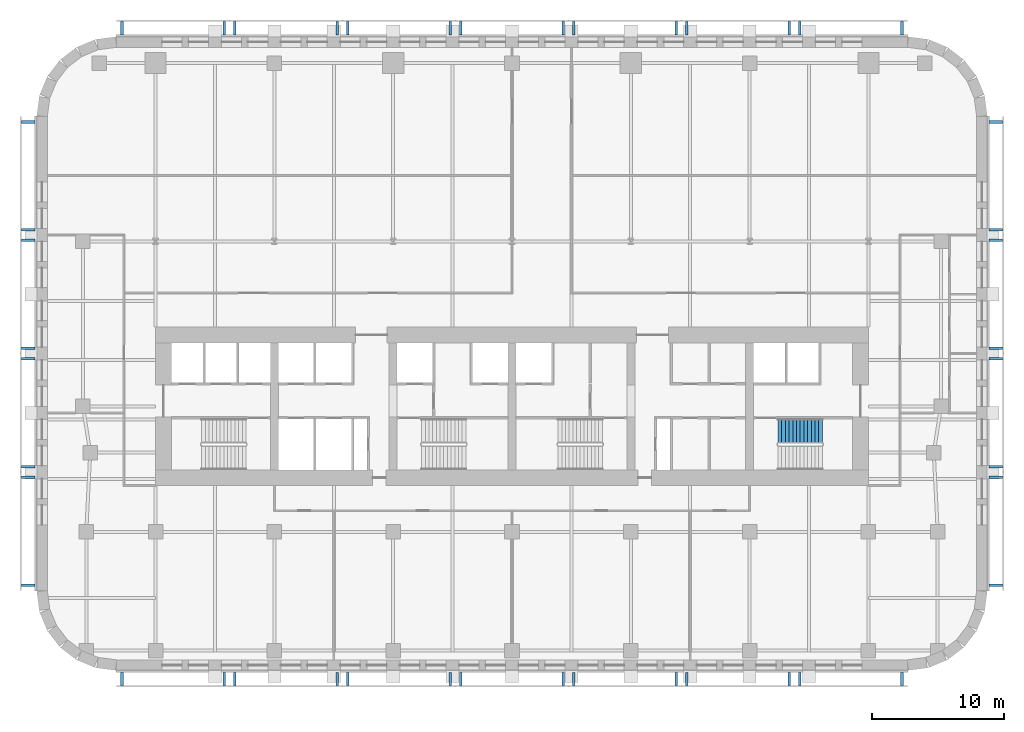
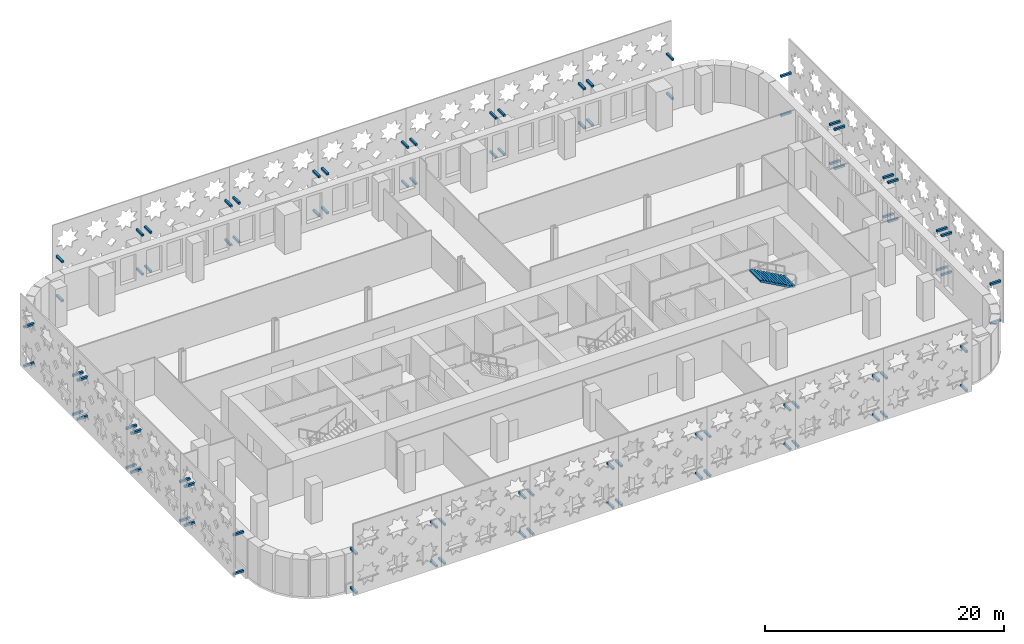
# One storey, part 10 of 15: 88 discrete accessories, 1 stair flight, 1 element without a shape of its own.
"""IFC4 building model written with IfcOpenShell, lengths in metres."""

from ifc_helpers import new_model, si_unit, direction, frame, origin, origin_2d, place, context, subcontext, project, spatial, polyline, rectangle, outline, extrude, material, type_object, element, aggregate, save


model = new_model("IFC4")

# Units and contexts
model_context = context("Model", 3, precision=1e-05, world=origin(), true_north=direction((0.0, 1.0)))
body_context = subcontext(model_context, "Body", "Model", "MODEL_VIEW")
ifc_project = project(units=[si_unit("LENGTHUNIT", "METRE"), si_unit("AREAUNIT", "SQUARE_METRE"), si_unit("VOLUMEUNIT", "CUBIC_METRE"), si_unit("PLANEANGLEUNIT", "RADIAN"), si_unit("MASSUNIT", "GRAM", prefix="KILO")], contexts=[model_context])

# Site, building, storey
site_placement = place(None, origin())
site = spatial("IfcSite", under=ifc_project, at=site_placement, CompositionType="ELEMENT")
building_placement = place(site_placement, origin())
building = spatial("IfcBuilding", under=site, at=building_placement, Name="Zellij Exchange Tower", CompositionType="ELEMENT")
storey_placement = place(building_placement, frame((0.0, 0.0, 84.5)))
storey = spatial("IfcBuildingStorey", under=building, at=storey_placement, Name="L17", CompositionType="ELEMENT", Elevation=84.5)

# Stair, stair flight
ifc_material_1 = material(Name="Concrete C40/50", Category="concrete")
stair_type = type_object("IfcStairType", Name="CORE-ST exit stair 1850 wide", PredefinedType="HALF_TURN_STAIR", material=ifc_material_1)
stair_placement = place(storey_placement, origin())
stair = element("IfcStair", 1, at=stair_placement, inside=storey, type_object=stair_type, Name="L17 exit stair ST4", PredefinedType="HALF_TURN_STAIR")
stair_flight_type = type_object("IfcStairFlightType", Name="CORE-SF flight 1850 riser 153.8 going 280", PredefinedType="STRAIGHT", material=ifc_material_1)
stair_flight_placement = place(storey_placement, frame((23.510009765625, -9.875, 2.0), z_axis=(0.0, 0.0, 1.0), x_axis=(-1.0, 0.0, 0.0)))
stair_flight = element("IfcStairFlight", 2, at=stair_flight_placement, type_object=stair_flight_type, Name="ST4 flight 2", NumberOfRisers=13, NumberOfTreads=12, PredefinedType="STRAIGHT", RiserHeight=0.153846154, TreadLength=0.28, context=body_context, shape_type="SweptSolid", body=[
    extrude(outline(polyline([(0.0, 0.0), (0.0, 0.15380859375), (0.280029296875, 0.15380859375), (0.280029296875, 0.3076171875), (0.56005859375, 0.3076171875), (0.56005859375, 0.46142578125), (0.840087890625, 0.46142578125), (0.840087890625, 0.615478515625), (1.1201171875, 0.615478515625), (1.1201171875, 0.769287109375), (1.39990234375, 0.769287109375), (1.39990234375, 0.923095703125), (1.679931640625, 0.923095703125), (1.679931640625, 1.076904296875), (1.9599609375, 1.076904296875), (1.9599609375, 1.230712890625), (2.239990234375, 1.230712890625), (2.239990234375, 1.384521484375), (2.52001953125, 1.384521484375), (2.52001953125, 1.53857421875), (2.800048828125, 1.53857421875), (2.800048828125, 1.6923828125), (3.080078125, 1.6923828125), (3.080078125, 1.84619140625), (3.360107421875, 1.84619140625), (3.360107421875, 2.0), (3.360107421875, 1.675048828125), (0.311279296875, 0.0), (0.0, 0.0)])), frame((0.0, 0.925048828125, 0.0), z_axis=(0.0, -1.0, 0.0), x_axis=(1.0, 0.0, 0.0)), (0.0, 0.0, 1.0), 1.85009765625),
])
aggregate(stair, [stair_flight])

# Discrete accessories
ifc_material_2 = material(Name="Stainless steel", Category="steel")
discrete_accessory_type = type_object("IfcDiscreteAccessoryType", Name="ENV-BR1 Stone panel bracket 200", PredefinedType="USERDEFINED", material=ifc_material_2)
for number, where, z_axis, x_axis, name in (
    (3, (-36.64990234375, 13.547607421875, 0.2998046875), (0.0, 0.0, 1.0), (0.0, -1.0, 0.0), "Panel bracket"),
    (4, (-36.64990234375, 5.373779296875, 0.2998046875), (0.0, 0.0, 1.0), (0.0, -1.0, 0.0), "Panel bracket"),
    (5, (-36.64990234375, 13.547607421875, 4.2998046875), (0.0, 0.0, 1.0), (0.0, -1.0, 0.0), "Panel bracket"),
    (6, (-36.64990234375, 5.373779296875, 4.2998046875), (0.0, 0.0, 1.0), (0.0, -1.0, 0.0), "Panel bracket"),
    (7, (-36.64990234375, 4.57373046875, 0.2998046875), (0.0, 0.0, 1.0), (0.0, -1.0, 0.0), "Panel bracket"),
    (8, (-36.64990234375, -3.60009765625, 0.2998046875), (0.0, 0.0, 1.0), (0.0, -1.0, 0.0), "Panel bracket"),
    (9, (-36.64990234375, 4.57373046875, 4.2998046875), (0.0, 0.0, 1.0), (0.0, -1.0, 0.0), "Panel bracket"),
    (10, (-36.64990234375, -3.60009765625, 4.2998046875), (0.0, 0.0, 1.0), (0.0, -1.0, 0.0), "Panel bracket"),
    (11, (-36.64990234375, -4.39990234375, 0.2998046875), (0.0, 0.0, 1.0), (0.0, -1.0, 0.0), "Panel bracket"),
    (12, (-36.64990234375, -12.57373046875, 0.2998046875), (0.0, 0.0, 1.0), (0.0, -1.0, 0.0), "Panel bracket"),
    (13, (-36.64990234375, -4.39990234375, 4.2998046875), (0.0, 0.0, 1.0), (0.0, -1.0, 0.0), "Panel bracket"),
    (14, (-36.64990234375, -12.57373046875, 4.2998046875), (0.0, 0.0, 1.0), (0.0, -1.0, 0.0), "Panel bracket"),
    (15, (-36.64990234375, -13.373779296875, 0.2998046875), (0.0, 0.0, 1.0), (0.0, -1.0, 0.0), "Panel bracket"),
    (16, (-36.64990234375, -21.547607421875, 0.2998046875), (0.0, 0.0, 1.0), (0.0, -1.0, 0.0), "Panel bracket"),
    (17, (-36.64990234375, -13.373779296875, 4.2998046875), (0.0, 0.0, 1.0), (0.0, -1.0, 0.0), "Panel bracket"),
    (18, (-36.64990234375, -21.547607421875, 4.2998046875), (0.0, 0.0, 1.0), (0.0, -1.0, 0.0), "Panel bracket"),
    (19, (-29.547607421875, -28.64990234375, 0.2998046875), (0.0, 0.0, 1.0), (1.0, 0.0, 0.0), "Panel bracket"),
    (20, (-21.791015625, -28.64990234375, 0.2998046875), (0.0, 0.0, 1.0), (1.0, 0.0, 0.0), "Panel bracket"),
    (21, (-29.547607421875, -28.64990234375, 4.2998046875), (0.0, 0.0, 1.0), (1.0, 0.0, 0.0), "Panel bracket"),
    (22, (-21.791015625, -28.64990234375, 4.2998046875), (0.0, 0.0, 1.0), (1.0, 0.0, 0.0), "Panel bracket"),
    (23, (-20.9912109375, -28.64990234375, 0.2998046875), (0.0, 0.0, 1.0), (1.0, 0.0, 0.0), "Panel bracket"),
    (24, (-13.234619140625, -28.64990234375, 0.2998046875), (0.0, 0.0, 1.0), (1.0, 0.0, 0.0), "Panel bracket"),
    (25, (-20.9912109375, -28.64990234375, 4.2998046875), (0.0, 0.0, 1.0), (1.0, 0.0, 0.0), "Panel bracket"),
    (26, (-13.234619140625, -28.64990234375, 4.2998046875), (0.0, 0.0, 1.0), (1.0, 0.0, 0.0), "Panel bracket"),
    (27, (-12.434814453125, -28.64990234375, 0.2998046875), (0.0, 0.0, 1.0), (1.0, 0.0, 0.0), "Panel bracket"),
    (28, (-4.67822265625, -28.64990234375, 0.2998046875), (0.0, 0.0, 1.0), (1.0, 0.0, 0.0), "Panel bracket"),
    (29, (-12.434814453125, -28.64990234375, 4.2998046875), (0.0, 0.0, 1.0), (1.0, 0.0, 0.0), "Panel bracket"),
    (30, (-4.67822265625, -28.64990234375, 4.2998046875), (0.0, 0.0, 1.0), (1.0, 0.0, 0.0), "Panel bracket"),
    (31, (-3.878173828125, -28.64990234375, 0.2998046875), (0.0, 0.0, 1.0), (1.0, 0.0, 0.0), "Panel bracket"),
    (32, (3.878173828125, -28.64990234375, 0.2998046875), (0.0, 0.0, 1.0), (1.0, 0.0, 0.0), "Panel bracket"),
    (33, (-3.878173828125, -28.64990234375, 4.2998046875), (0.0, 0.0, 1.0), (1.0, 0.0, 0.0), "Panel bracket"),
    (34, (3.878173828125, -28.64990234375, 4.2998046875), (0.0, 0.0, 1.0), (1.0, 0.0, 0.0), "Panel bracket"),
    (35, (4.67822265625, -28.64990234375, 0.2998046875), (0.0, 0.0, 1.0), (1.0, 0.0, 0.0), "Panel bracket"),
    (36, (12.434814453125, -28.64990234375, 0.2998046875), (0.0, 0.0, 1.0), (1.0, 0.0, 0.0), "Panel bracket"),
    (37, (4.67822265625, -28.64990234375, 4.2998046875), (0.0, 0.0, 1.0), (1.0, 0.0, 0.0), "Panel bracket"),
    (38, (12.434814453125, -28.64990234375, 4.2998046875), (0.0, 0.0, 1.0), (1.0, 0.0, 0.0), "Panel bracket"),
    (39, (13.234619140625, -28.64990234375, 0.2998046875), (0.0, 0.0, 1.0), (1.0, 0.0, 0.0), "Panel bracket"),
    (40, (20.9912109375, -28.64990234375, 0.2998046875), (0.0, 0.0, 1.0), (1.0, 0.0, 0.0), "Panel bracket"),
    (41, (13.234619140625, -28.64990234375, 4.2998046875), (0.0, 0.0, 1.0), (1.0, 0.0, 0.0), "Panel bracket"),
    (42, (20.9912109375, -28.64990234375, 4.2998046875), (0.0, 0.0, 1.0), (1.0, 0.0, 0.0), "Panel bracket"),
    (43, (21.791015625, -28.64990234375, 0.2998046875), (0.0, 0.0, 1.0), (1.0, 0.0, 0.0), "Panel bracket"),
    (44, (29.547607421875, -28.64990234375, 0.2998046875), (0.0, 0.0, 1.0), (1.0, 0.0, 0.0), "Panel bracket"),
    (45, (21.791015625, -28.64990234375, 4.2998046875), (0.0, 0.0, 1.0), (1.0, 0.0, 0.0), "Panel bracket"),
    (46, (29.547607421875, -28.64990234375, 4.2998046875), (0.0, 0.0, 1.0), (1.0, 0.0, 0.0), "Panel bracket"),
    (47, (29.547607421875, 20.64990234375, 0.2998046875), (0.0, 0.0, 1.0), (-1.0, 0.0, 0.0), "Panel bracket"),
    (48, (21.791015625, 20.64990234375, 0.2998046875), (0.0, 0.0, 1.0), (-1.0, 0.0, 0.0), "Panel bracket"),
    (49, (29.547607421875, 20.64990234375, 4.2998046875), (0.0, 0.0, 1.0), (-1.0, 0.0, 0.0), "Panel bracket"),
    (50, (21.791015625, 20.64990234375, 4.2998046875), (0.0, 0.0, 1.0), (-1.0, 0.0, 0.0), "Panel bracket"),
    (51, (20.9912109375, 20.64990234375, 0.2998046875), (0.0, 0.0, 1.0), (-1.0, 0.0, 0.0), "Panel bracket"),
    (52, (13.234619140625, 20.64990234375, 0.2998046875), (0.0, 0.0, 1.0), (-1.0, 0.0, 0.0), "Panel bracket"),
    (53, (20.9912109375, 20.64990234375, 4.2998046875), (0.0, 0.0, 1.0), (-1.0, 0.0, 0.0), "Panel bracket"),
    (54, (13.234619140625, 20.64990234375, 4.2998046875), (0.0, 0.0, 1.0), (-1.0, 0.0, 0.0), "Panel bracket"),
    (55, (12.434814453125, 20.64990234375, 0.2998046875), (0.0, 0.0, 1.0), (-1.0, 0.0, 0.0), "Panel bracket"),
    (56, (4.67822265625, 20.64990234375, 0.2998046875), (0.0, 0.0, 1.0), (-1.0, 0.0, 0.0), "Panel bracket"),
    (57, (12.434814453125, 20.64990234375, 4.2998046875), (0.0, 0.0, 1.0), (-1.0, 0.0, 0.0), "Panel bracket"),
    (58, (4.67822265625, 20.64990234375, 4.2998046875), (0.0, 0.0, 1.0), (-1.0, 0.0, 0.0), "Panel bracket"),
    (59, (3.878173828125, 20.64990234375, 0.2998046875), (0.0, 0.0, 1.0), (-1.0, 0.0, 0.0), "Panel bracket"),
    (60, (-3.878173828125, 20.64990234375, 0.2998046875), (0.0, 0.0, 1.0), (-1.0, 0.0, 0.0), "Panel bracket"),
    (61, (3.878173828125, 20.64990234375, 4.2998046875), (0.0, 0.0, 1.0), (-1.0, 0.0, 0.0), "Panel bracket"),
    (62, (-3.878173828125, 20.64990234375, 4.2998046875), (0.0, 0.0, 1.0), (-1.0, 0.0, 0.0), "Panel bracket"),
    (63, (-4.67822265625, 20.64990234375, 0.2998046875), (0.0, 0.0, 1.0), (-1.0, 0.0, 0.0), "Panel bracket"),
    (64, (-12.434814453125, 20.64990234375, 0.2998046875), (0.0, 0.0, 1.0), (-1.0, 0.0, 0.0), "Panel bracket"),
    (65, (-4.67822265625, 20.64990234375, 4.2998046875), (0.0, 0.0, 1.0), (-1.0, 0.0, 0.0), "Panel bracket"),
    (66, (-12.434814453125, 20.64990234375, 4.2998046875), (0.0, 0.0, 1.0), (-1.0, 0.0, 0.0), "Panel bracket"),
    (67, (-13.234619140625, 20.64990234375, 0.2998046875), (0.0, 0.0, 1.0), (-1.0, 0.0, 0.0), "Panel bracket"),
    (68, (-20.9912109375, 20.64990234375, 0.2998046875), (0.0, 0.0, 1.0), (-1.0, 0.0, 0.0), "Panel bracket"),
    (69, (-13.234619140625, 20.64990234375, 4.2998046875), (0.0, 0.0, 1.0), (-1.0, 0.0, 0.0), "Panel bracket"),
    (70, (-20.9912109375, 20.64990234375, 4.2998046875), (0.0, 0.0, 1.0), (-1.0, 0.0, 0.0), "Panel bracket"),
    (71, (-21.791015625, 20.64990234375, 0.2998046875), (0.0, 0.0, 1.0), (-1.0, 0.0, 0.0), "Panel bracket"),
    (72, (-29.547607421875, 20.64990234375, 0.2998046875), (0.0, 0.0, 1.0), (-1.0, 0.0, 0.0), "Panel bracket"),
    (73, (-21.791015625, 20.64990234375, 4.2998046875), (0.0, 0.0, 1.0), (-1.0, 0.0, 0.0), "Panel bracket"),
    (74, (-29.547607421875, 20.64990234375, 4.2998046875), (0.0, 0.0, 1.0), (-1.0, 0.0, 0.0), "Panel bracket"),
    (75, (36.64990234375, -21.547607421875, 0.2998046875), (0.0, 0.0, 1.0), (0.0, 1.0, 0.0), "Panel bracket"),
    (76, (36.64990234375, -13.373779296875, 0.2998046875), (0.0, 0.0, 1.0), (0.0, 1.0, 0.0), "Panel bracket"),
    (77, (36.64990234375, -21.547607421875, 4.2998046875), (0.0, 0.0, 1.0), (0.0, 1.0, 0.0), "Panel bracket"),
    (78, (36.64990234375, -13.373779296875, 4.2998046875), (0.0, 0.0, 1.0), (0.0, 1.0, 0.0), "Panel bracket"),
    (79, (36.64990234375, -12.57373046875, 0.2998046875), (0.0, 0.0, 1.0), (0.0, 1.0, 0.0), "Panel bracket"),
    (80, (36.64990234375, -4.39990234375, 0.2998046875), (0.0, 0.0, 1.0), (0.0, 1.0, 0.0), "Panel bracket"),
    (81, (36.64990234375, -12.57373046875, 4.2998046875), (0.0, 0.0, 1.0), (0.0, 1.0, 0.0), "Panel bracket"),
    (82, (36.64990234375, -4.39990234375, 4.2998046875), (0.0, 0.0, 1.0), (0.0, 1.0, 0.0), "Panel bracket"),
    (83, (36.64990234375, -3.60009765625, 0.2998046875), (0.0, 0.0, 1.0), (0.0, 1.0, 0.0), "Panel bracket"),
    (84, (36.64990234375, 4.57373046875, 0.2998046875), (0.0, 0.0, 1.0), (0.0, 1.0, 0.0), "Panel bracket"),
    (85, (36.64990234375, -3.60009765625, 4.2998046875), (0.0, 0.0, 1.0), (0.0, 1.0, 0.0), "Panel bracket"),
    (86, (36.64990234375, 4.57373046875, 4.2998046875), (0.0, 0.0, 1.0), (0.0, 1.0, 0.0), "Panel bracket"),
    (87, (36.64990234375, 5.373779296875, 0.2998046875), (0.0, 0.0, 1.0), (0.0, 1.0, 0.0), "Panel bracket"),
    (88, (36.64990234375, 13.547607421875, 0.2998046875), (0.0, 0.0, 1.0), (0.0, 1.0, 0.0), "Panel bracket"),
    (89, (36.64990234375, 5.373779296875, 4.2998046875), (0.0, 0.0, 1.0), (0.0, 1.0, 0.0), "Panel bracket"),
    (90, (36.64990234375, 13.547607421875, 4.2998046875), (0.0, 0.0, 1.0), (0.0, 1.0, 0.0), "Panel bracket"),
):
    element("IfcDiscreteAccessory", number, at=place(storey_placement, frame(where, z_axis=z_axis, x_axis=x_axis)), inside=storey, type_object=discrete_accessory_type, Name=name, ObjectType="BRACKET", PredefinedType="USERDEFINED", context=body_context, shape_type="SweptSolid", body=[
        extrude(rectangle(XDim=0.199951171875, YDim=1.0, at=origin_2d()), origin(), (0.0, 0.0, 1.0), 0.199951171875),
    ])

save(model, "model.ifc")
